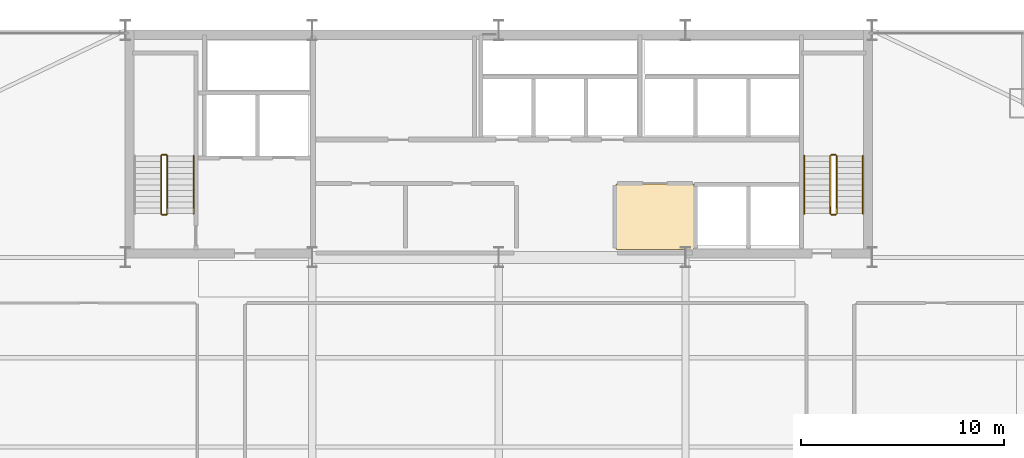
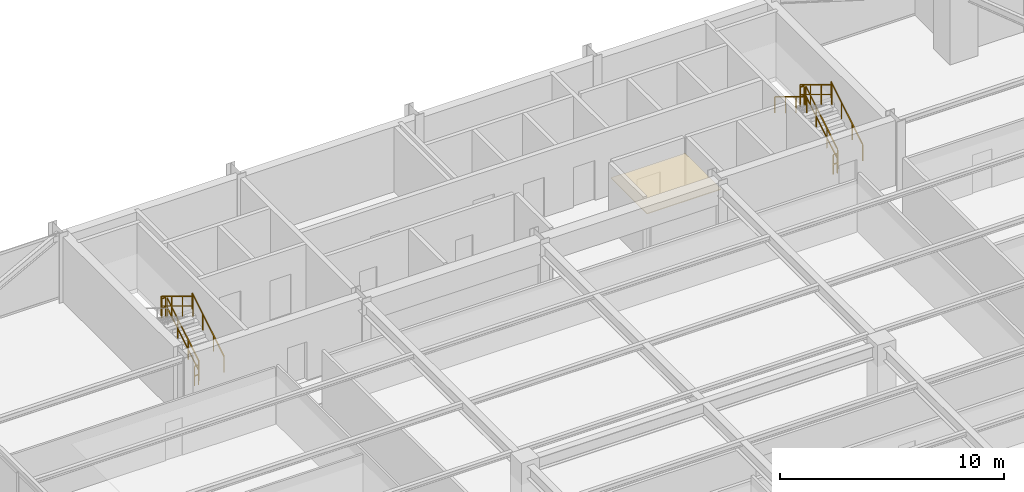
# One storey, part 33 of 33: 11 railings, 1 covering.
"""IFC4 building model written with IfcOpenShell, lengths in metres."""

from ifc_helpers import new_model, si_unit, direction, frame, origin, origin_2d, place, context, subcontext, project, spatial, polyline, rectangle, outline, extrude, material, layer, layer_set, type_object, element, save


model = new_model("IFC4")

# Units and contexts
model_context = context("Model", 3, precision=1e-05, world=origin(), true_north=direction((0.0, 1.0)))
body_context = subcontext(model_context, "Body", "Model", "MODEL_VIEW")
ifc_project = project(units=[si_unit("LENGTHUNIT", "METRE"), si_unit("AREAUNIT", "SQUARE_METRE"), si_unit("VOLUMEUNIT", "CUBIC_METRE"), si_unit("PLANEANGLEUNIT", "RADIAN"), si_unit("MASSUNIT", "GRAM", prefix="KILO")], contexts=[model_context])

# Site, building, storey
site_placement = place(None, origin())
site = spatial("IfcSite", under=ifc_project, at=site_placement, CompositionType="ELEMENT")
building_placement = place(site_placement, origin())
building = spatial("IfcBuilding", under=site, at=building_placement, Name="Varnel Quay Broadcast Tower", CompositionType="ELEMENT")
storey_placement = place(building_placement, frame((0.0, 0.0, 129.60009765625)))
storey = spatial("IfcBuildingStorey", under=building, at=storey_placement, Name="L31", CompositionType="ELEMENT", Elevation=129.60009765625)

# Covering
ifc_material_1 = material(Name="Micro-Perforated Acoustic Ceiling Tile")
ifc_layer = layer(ifc_material_1, 0.0400390625, Name="Micro-Perforated Acoustic Ceiling Tile")
ifc_layer_set = layer_set([ifc_layer], Name="Micro-Perforated Acoustic Ceiling Tile")
covering_type = type_object("IfcCoveringType", Name="Cov_AcousticCeiling", PredefinedType="CEILING", material=ifc_layer_set)
covering_placement = place(storey_placement, frame((0.0, 0.0, 2.579833984375)))
element("IfcCovering", 1, at=covering_placement, inside=storey, type_object=covering_type, Name="L31 Electrical Sub-Distribution Closet Acoustic Ceiling", PredefinedType="CEILING", context=body_context, shape_type="SweptSolid", body=[
    extrude(outline(polyline([(39.784912109375, 35.985107421875), (43.614990234375, 35.985107421875), (43.614990234375, 39.215087890625), (39.784912109375, 39.215087890625), (39.784912109375, 35.985107421875)])), origin(), (0.0, 0.0, 1.0), 0.0400390625),
])

# Railings
ifc_material_2 = material(Name="Painted Steel Guard and Handrail CSA G40.21 350W", Category="steel")
railing_type_1 = type_object("IfcRailingType", Name="Rail_StairGuard1100", PredefinedType="GUARDRAIL", material=ifc_material_2)
railing_1_placement = place(storey_placement, frame((17.64990234375, 37.75, 0.172607421875)))
element("IfcRailing", 2, at=railing_1_placement, inside=storey, type_object=railing_type_1, Name="L31 ST-01 stair guard 1", PredefinedType="GUARDRAIL", context=body_context, shape_type="SweptSolid", body=[
    extrude(rectangle(XDim=0.048095703125, YDim=0.048095703125, at=origin_2d()), frame((0.0, 0.0, 1.076171875), z_axis=(0.0, 0.855202751398, 0.518293598264), x_axis=(-1.0, 0.0, 0.0)), (0.0, 0.0, 1.0), 3.332763671875),
    extrude(rectangle(XDim=0.048095703125, YDim=0.048095703125, at=origin_2d()), frame((0.0, 0.0, 0.550048828125), z_axis=(0.0, 0.855202751398, 0.518293598264), x_axis=(-1.0, 0.0, 0.0)), (0.0, 0.0, 1.0), 3.332763671875),
    extrude(rectangle(XDim=0.0419921875, YDim=0.0419921875, at=origin_2d()), origin(), (0.0, 0.0, 1.0), 1.052001953125),
    extrude(rectangle(XDim=0.0419921875, YDim=0.0419921875, at=origin_2d()), frame((0.0, 0.949951171875, 0.57568359375)), (0.0, 0.0, 1.0), 1.052001953125),
    extrude(rectangle(XDim=0.0419921875, YDim=0.0419921875, at=origin_2d()), frame((0.0, 1.900146484375, 1.151611328125)), (0.0, 0.0, 1.0), 1.052001953125),
    extrude(rectangle(XDim=0.0419921875, YDim=0.0419921875, at=origin_2d()), frame((0.0, 2.85009765625, 1.727294921875)), (0.0, 0.0, 1.0), 1.052001953125),
])
railing_2_placement = place(storey_placement, frame((17.60009765625, 40.64990234375, 1.89990234375)))
element("IfcRailing", 3, at=railing_2_placement, inside=storey, type_object=railing_type_1, Name="L31 ST-01 stair guard 2", PredefinedType="GUARDRAIL", context=body_context, shape_type="SweptSolid", body=[
    extrude(rectangle(XDim=0.048095703125, YDim=0.048095703125, at=origin_2d()), frame((0.0, 0.0, 1.076171875), z_axis=(-1.0, 0.0, 0.0), x_axis=(0.0, -1.0, 0.0)), (0.0, 0.0, 1.0), 0.2001953125),
    extrude(rectangle(XDim=0.048095703125, YDim=0.048095703125, at=origin_2d()), frame((0.0, 0.0, 0.550048828125), z_axis=(-1.0, 0.0, 0.0), x_axis=(0.0, -1.0, 0.0)), (0.0, 0.0, 1.0), 0.2001953125),
    extrude(rectangle(XDim=0.0419921875, YDim=0.0419921875, at=origin_2d()), origin(), (0.0, 0.0, 1.0), 1.052001953125),
    extrude(rectangle(XDim=0.0419921875, YDim=0.0419921875, at=origin_2d()), frame((-0.2001953125, 0.0, 0.0)), (0.0, 0.0, 1.0), 1.052001953125),
])
railing_3_placement = place(storey_placement, frame((17.35009765625, 40.60009765625, 2.072509765625)))
element("IfcRailing", 4, at=railing_3_placement, inside=storey, type_object=railing_type_1, Name="L31 ST-01 stair guard 3", PredefinedType="GUARDRAIL", context=body_context, shape_type="SweptSolid", body=[
    extrude(rectangle(XDim=0.048095703125, YDim=0.048095703125, at=origin_2d()), frame((0.0, 0.0, 1.076171875), z_axis=(0.0, -0.855202751398, 0.518293598264), x_axis=(1.0, 0.0, 0.0)), (0.0, 0.0, 1.0), 3.332763671875),
    extrude(rectangle(XDim=0.048095703125, YDim=0.048095703125, at=origin_2d()), frame((0.0, 0.0, 0.550048828125), z_axis=(0.0, -0.855202751398, 0.518293598264), x_axis=(1.0, 0.0, 0.0)), (0.0, 0.0, 1.0), 3.332763671875),
    extrude(rectangle(XDim=0.0419921875, YDim=0.0419921875, at=origin_2d()), origin(), (0.0, 0.0, 1.0), 1.052001953125),
    extrude(rectangle(XDim=0.0419921875, YDim=0.0419921875, at=origin_2d()), frame((0.0, -0.949951171875, 0.57568359375)), (0.0, 0.0, 1.0), 1.052001953125),
    extrude(rectangle(XDim=0.0419921875, YDim=0.0419921875, at=origin_2d()), frame((0.0, -1.900146484375, 1.151611328125)), (0.0, 0.0, 1.0), 1.052001953125),
    extrude(rectangle(XDim=0.0419921875, YDim=0.0419921875, at=origin_2d()), frame((0.0, -2.85009765625, 1.727294921875)), (0.0, 0.0, 1.0), 1.052001953125),
])
railing_4_placement = place(storey_placement, frame((17.60009765625, 37.699951171875, 0.0)))
element("IfcRailing", 5, at=railing_4_placement, inside=storey, type_object=railing_type_1, Name="L31 ST-01 stair guard 4", PredefinedType="GUARDRAIL", context=body_context, shape_type="SweptSolid", body=[
    extrude(rectangle(XDim=0.048095703125, YDim=0.048095703125, at=origin_2d()), frame((0.0, 0.0, 1.076171875), z_axis=(-1.0, 0.0, 0.0), x_axis=(0.0, -1.0, 0.0)), (0.0, 0.0, 1.0), 0.2001953125),
    extrude(rectangle(XDim=0.048095703125, YDim=0.048095703125, at=origin_2d()), frame((0.0, 0.0, 0.550048828125), z_axis=(-1.0, 0.0, 0.0), x_axis=(0.0, -1.0, 0.0)), (0.0, 0.0, 1.0), 0.2001953125),
    extrude(rectangle(XDim=0.0419921875, YDim=0.0419921875, at=origin_2d()), origin(), (0.0, 0.0, 1.0), 1.052001953125),
    extrude(rectangle(XDim=0.0419921875, YDim=0.0419921875, at=origin_2d()), frame((-0.2001953125, 0.0, 0.0)), (0.0, 0.0, 1.0), 1.052001953125),
])
railing_5_placement = place(storey_placement, frame((50.64990234375, 37.75, 0.172607421875)))
element("IfcRailing", 6, at=railing_5_placement, inside=storey, type_object=railing_type_1, Name="L31 ST-02 stair guard 1", PredefinedType="GUARDRAIL", context=body_context, shape_type="SweptSolid", body=[
    extrude(rectangle(XDim=0.048095703125, YDim=0.048095703125, at=origin_2d()), frame((0.0, 0.0, 1.076171875), z_axis=(0.0, 0.855202751398, 0.518293598264), x_axis=(-1.0, 0.0, 0.0)), (0.0, 0.0, 1.0), 3.332763671875),
    extrude(rectangle(XDim=0.048095703125, YDim=0.048095703125, at=origin_2d()), frame((0.0, 0.0, 0.550048828125), z_axis=(0.0, 0.855202751398, 0.518293598264), x_axis=(-1.0, 0.0, 0.0)), (0.0, 0.0, 1.0), 3.332763671875),
    extrude(rectangle(XDim=0.0419921875, YDim=0.0419921875, at=origin_2d()), origin(), (0.0, 0.0, 1.0), 1.052001953125),
    extrude(rectangle(XDim=0.0419921875, YDim=0.0419921875, at=origin_2d()), frame((0.0, 0.949951171875, 0.57568359375)), (0.0, 0.0, 1.0), 1.052001953125),
    extrude(rectangle(XDim=0.0419921875, YDim=0.0419921875, at=origin_2d()), frame((0.0, 1.900146484375, 1.151611328125)), (0.0, 0.0, 1.0), 1.052001953125),
    extrude(rectangle(XDim=0.0419921875, YDim=0.0419921875, at=origin_2d()), frame((0.0, 2.85009765625, 1.727294921875)), (0.0, 0.0, 1.0), 1.052001953125),
])
railing_6_placement = place(storey_placement, frame((50.60009765625, 40.64990234375, 1.89990234375)))
element("IfcRailing", 7, at=railing_6_placement, inside=storey, type_object=railing_type_1, Name="L31 ST-02 stair guard 2", PredefinedType="GUARDRAIL", context=body_context, shape_type="SweptSolid", body=[
    extrude(rectangle(XDim=0.048095703125, YDim=0.048095703125, at=origin_2d()), frame((0.0, 0.0, 1.076171875), z_axis=(-1.0, 0.0, 0.0), x_axis=(0.0, -1.0, 0.0)), (0.0, 0.0, 1.0), 0.2001953125),
    extrude(rectangle(XDim=0.048095703125, YDim=0.048095703125, at=origin_2d()), frame((0.0, 0.0, 0.550048828125), z_axis=(-1.0, 0.0, 0.0), x_axis=(0.0, -1.0, 0.0)), (0.0, 0.0, 1.0), 0.2001953125),
    extrude(rectangle(XDim=0.0419921875, YDim=0.0419921875, at=origin_2d()), origin(), (0.0, 0.0, 1.0), 1.052001953125),
    extrude(rectangle(XDim=0.0419921875, YDim=0.0419921875, at=origin_2d()), frame((-0.2001953125, 0.0, 0.0)), (0.0, 0.0, 1.0), 1.052001953125),
])
railing_7_placement = place(storey_placement, frame((50.35009765625, 40.60009765625, 2.072509765625)))
element("IfcRailing", 8, at=railing_7_placement, inside=storey, type_object=railing_type_1, Name="L31 ST-02 stair guard 3", PredefinedType="GUARDRAIL", context=body_context, shape_type="SweptSolid", body=[
    extrude(rectangle(XDim=0.048095703125, YDim=0.048095703125, at=origin_2d()), frame((0.0, 0.0, 1.076171875), z_axis=(0.0, -0.855202751398, 0.518293598264), x_axis=(1.0, 0.0, 0.0)), (0.0, 0.0, 1.0), 3.332763671875),
    extrude(rectangle(XDim=0.048095703125, YDim=0.048095703125, at=origin_2d()), frame((0.0, 0.0, 0.550048828125), z_axis=(0.0, -0.855202751398, 0.518293598264), x_axis=(1.0, 0.0, 0.0)), (0.0, 0.0, 1.0), 3.332763671875),
    extrude(rectangle(XDim=0.0419921875, YDim=0.0419921875, at=origin_2d()), origin(), (0.0, 0.0, 1.0), 1.052001953125),
    extrude(rectangle(XDim=0.0419921875, YDim=0.0419921875, at=origin_2d()), frame((0.0, -0.949951171875, 0.57568359375)), (0.0, 0.0, 1.0), 1.052001953125),
    extrude(rectangle(XDim=0.0419921875, YDim=0.0419921875, at=origin_2d()), frame((0.0, -1.900146484375, 1.151611328125)), (0.0, 0.0, 1.0), 1.052001953125),
    extrude(rectangle(XDim=0.0419921875, YDim=0.0419921875, at=origin_2d()), frame((0.0, -2.85009765625, 1.727294921875)), (0.0, 0.0, 1.0), 1.052001953125),
])
railing_8_placement = place(storey_placement, frame((50.60009765625, 37.699951171875, 0.0)))
element("IfcRailing", 9, at=railing_8_placement, inside=storey, type_object=railing_type_1, Name="L31 ST-02 stair guard 4", PredefinedType="GUARDRAIL", context=body_context, shape_type="SweptSolid", body=[
    extrude(rectangle(XDim=0.048095703125, YDim=0.048095703125, at=origin_2d()), frame((0.0, 0.0, 1.076171875), z_axis=(-1.0, 0.0, 0.0), x_axis=(0.0, -1.0, 0.0)), (0.0, 0.0, 1.0), 0.2001953125),
    extrude(rectangle(XDim=0.048095703125, YDim=0.048095703125, at=origin_2d()), frame((0.0, 0.0, 0.550048828125), z_axis=(-1.0, 0.0, 0.0), x_axis=(0.0, -1.0, 0.0)), (0.0, 0.0, 1.0), 0.2001953125),
    extrude(rectangle(XDim=0.0419921875, YDim=0.0419921875, at=origin_2d()), origin(), (0.0, 0.0, 1.0), 1.052001953125),
    extrude(rectangle(XDim=0.0419921875, YDim=0.0419921875, at=origin_2d()), frame((-0.2001953125, 0.0, 0.0)), (0.0, 0.0, 1.0), 1.052001953125),
])
railing_type_2 = type_object("IfcRailingType", Name="Rail_StairHandrail900", PredefinedType="HANDRAIL", material=ifc_material_2)
for number, where, name in (
    (10, (18.949951171875, 37.75, 0.172607421875), "L31 ST-01 stair handrail 1"),
    (11, (51.949951171875, 37.75, 0.172607421875), "L31 ST-02 stair handrail 1"),
):
    element("IfcRailing", number, at=place(storey_placement, frame(where)), inside=storey, type_object=railing_type_2, Name=name, PredefinedType="HANDRAIL", context=body_context, shape_type="SweptSolid", body=[
        extrude(rectangle(XDim=0.048095703125, YDim=0.048095703125, at=origin_2d()), frame((0.0, 0.0, 0.8759765625), z_axis=(0.0, 0.855202751398, 0.518293598264), x_axis=(-1.0, 0.0, 0.0)), (0.0, 0.0, 1.0), 3.332763671875),
        extrude(rectangle(XDim=0.0419921875, YDim=0.0419921875, at=origin_2d()), origin(), (0.0, 0.0, 1.0), 0.851806640625),
        extrude(rectangle(XDim=0.0419921875, YDim=0.0419921875, at=origin_2d()), frame((0.0, 0.949951171875, 0.57568359375)), (0.0, 0.0, 1.0), 0.851806640625),
        extrude(rectangle(XDim=0.0419921875, YDim=0.0419921875, at=origin_2d()), frame((0.0, 1.900146484375, 1.151611328125)), (0.0, 0.0, 1.0), 0.851806640625),
        extrude(rectangle(XDim=0.0419921875, YDim=0.0419921875, at=origin_2d()), frame((0.0, 2.85009765625, 1.727294921875)), (0.0, 0.0, 1.0), 0.851806640625),
    ])
railing_9_placement = place(storey_placement, frame((49.050048828125, 40.60009765625, 2.072509765625)))
element("IfcRailing", 12, at=railing_9_placement, inside=storey, type_object=railing_type_2, Name="L31 ST-02 stair handrail 2", PredefinedType="HANDRAIL", context=body_context, shape_type="SweptSolid", body=[
    extrude(rectangle(XDim=0.048095703125, YDim=0.048095703125, at=origin_2d()), frame((0.0, 0.0, 0.8759765625), z_axis=(0.0, -0.855202751398, 0.518293598264), x_axis=(1.0, 0.0, 0.0)), (0.0, 0.0, 1.0), 3.332763671875),
    extrude(rectangle(XDim=0.0419921875, YDim=0.0419921875, at=origin_2d()), origin(), (0.0, 0.0, 1.0), 0.851806640625),
    extrude(rectangle(XDim=0.0419921875, YDim=0.0419921875, at=origin_2d()), frame((0.0, -0.949951171875, 0.57568359375)), (0.0, 0.0, 1.0), 0.851806640625),
    extrude(rectangle(XDim=0.0419921875, YDim=0.0419921875, at=origin_2d()), frame((0.0, -1.900146484375, 1.151611328125)), (0.0, 0.0, 1.0), 0.851806640625),
    extrude(rectangle(XDim=0.0419921875, YDim=0.0419921875, at=origin_2d()), frame((0.0, -2.85009765625, 1.727294921875)), (0.0, 0.0, 1.0), 0.851806640625),
])

save(model, "model.ifc")
